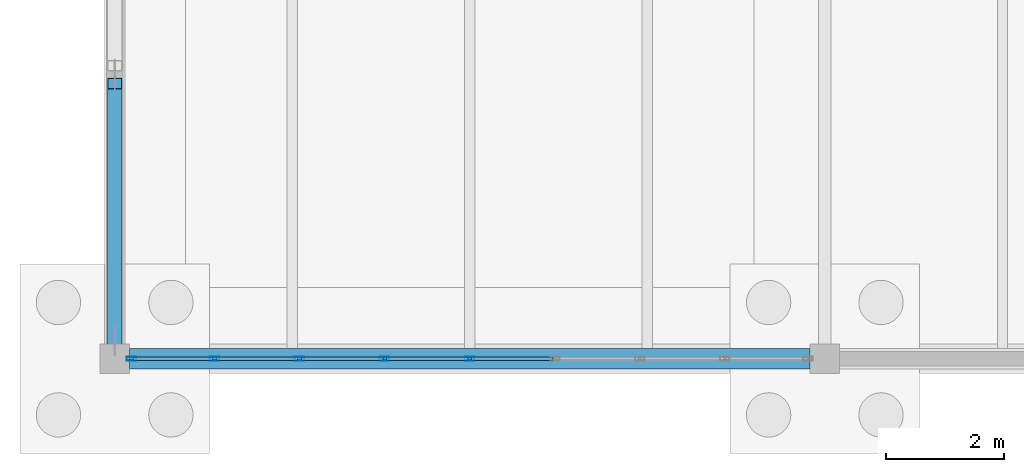
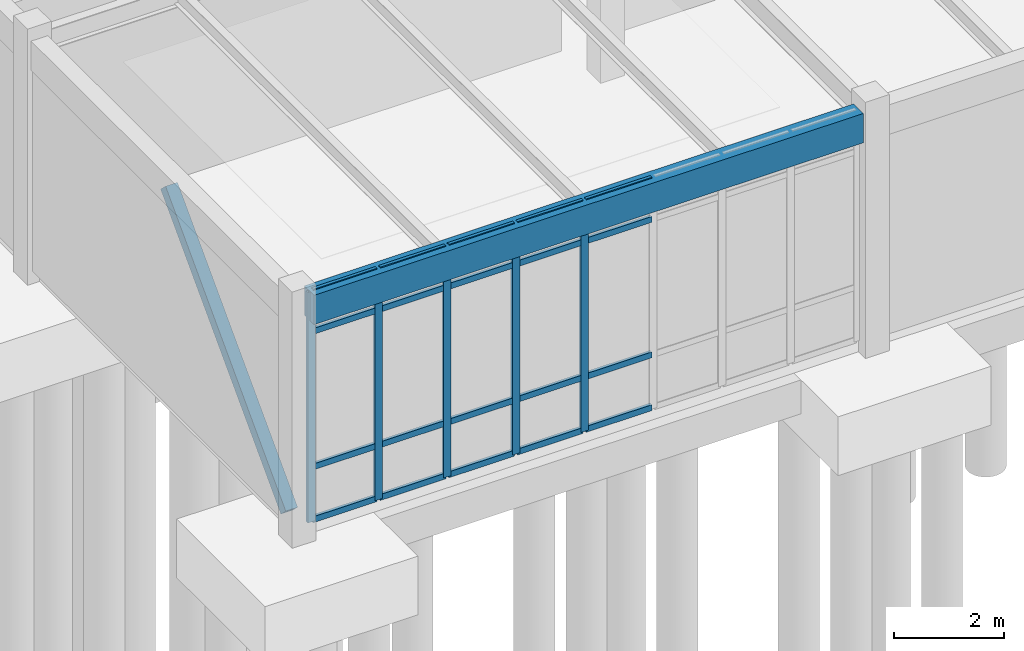
# One storey, part 20 of 188: 26 members, 1 beam, 1 element without a shape of its own.
"""IFC4 building model written with IfcOpenShell, lengths in metres."""

from ifc_helpers import new_model, si_unit, direction, frame, origin, origin_2d, place, context, subcontext, project, spatial, rectangle, hollow_rectangle, extrude, material, layer, layer_set, material_profile, profile_set, type_object, element, aggregate, save


model = new_model("IFC4")

# Units and contexts
model_context = context("Model", 3, precision=1e-05, world=origin(), true_north=direction((0.0, 1.0)))
body_context = subcontext(model_context, "Body", "Model", "MODEL_VIEW")
ifc_project = project(units=[si_unit("LENGTHUNIT", "METRE"), si_unit("AREAUNIT", "SQUARE_METRE"), si_unit("VOLUMEUNIT", "CUBIC_METRE"), si_unit("PLANEANGLEUNIT", "RADIAN"), si_unit("MASSUNIT", "GRAM", prefix="KILO")], contexts=[model_context])

# Site, building, storey
site_placement = place(None, origin())
site = spatial("IfcSite", under=ifc_project, at=site_placement, CompositionType="ELEMENT")
building_placement = place(site_placement, origin())
building = spatial("IfcBuilding", under=site, at=building_placement, Name="Pandanus Reach Market Hall", CompositionType="ELEMENT")
storey_placement = place(building_placement, origin())
storey = spatial("IfcBuildingStorey", under=building, at=storey_placement, Name="L00", CompositionType="ELEMENT", Elevation=0.0)

# Beam
ifc_material_1 = material(Name="Concrete N40 (40 MPa)", Category="concrete")
ifc_material_profile_1 = material_profile(ifc_material_1, rectangle(XDim=0.35009765625, YDim=0.64990234375, at=origin_2d()), Name="RC350x650", Category="LoadBearing")
ifc_profile_set_1 = profile_set([ifc_material_profile_1], Name="Concrete N40 (40 MPa)")
beam_type = type_object("IfcBeamType", Name="BM-RC350-E", PredefinedType="SPANDREL", material=ifc_profile_set_1)
beam_placement = place(storey_placement, frame((0.248046875, 0.0, 4.784912109375), z_axis=(1.0, 0.0, 0.0), x_axis=(0.0, 1.0, 0.0)))
element("IfcBeam", 1, at=beam_placement, inside=storey, type_object=beam_type, Name="Framing beam BM-RC350-E L00.921", PredefinedType="SPANDREL", context=body_context, shape_type="SweptSolid", body=[
    extrude(rectangle(XDim=0.35009765625, YDim=0.64990234375, at=origin_2d()), origin(), (0.0, 0.0, 1.0), 11.50390625),
])

# Member
ifc_material_2 = material(Name="Steel Grade 350 (350 MPa)", Category="steel")
ifc_material_profile_2 = material_profile(ifc_material_2, hollow_rectangle(XDim=0.25, YDim=0.25, WallThickness=0.010009765625, at=origin_2d()), Name="250x250x10.0SHS", Category="LoadBearing")
ifc_profile_set_2 = profile_set([ifc_material_profile_2], Name="Steel Grade 350 (350 MPa)")
member_type_1 = type_object("IfcMemberType", Name="BR-SHS250-E", PredefinedType="BRACE", material=ifc_profile_set_2)
member_1_placement = place(storey_placement, frame((0.0, 0.2900390625, 0.14990234375), z_axis=(0.0, 0.691855715665, 0.722035780762), x_axis=(-1.0, 0.0, 0.0)))
element("IfcMember", 2, at=member_1_placement, inside=storey, type_object=member_type_1, Name="Chevron brace BR-SHS250-E 9A", PredefinedType="BRACE", context=body_context, shape_type="SweptSolid", body=[
    extrude(hollow_rectangle(XDim=0.25, YDim=0.25, WallThickness=0.010009765625, at=origin_2d()), origin(), (0.0, 0.0, 1.0), 6.3017578125),
])

# Curtain wall, members
ifc_material_3 = material(Name="Bronze anodised aluminium and low-E glass", Category="aluminium")
ifc_layer = layer(ifc_material_3, 0.159912109375, Name="CW-09")
ifc_layer_set = layer_set([ifc_layer], Name="Bronze anodised aluminium and low-E glass")
curtain_wall_type = type_object("IfcCurtainWallType", Name="CW-09", PredefinedType="NOTDEFINED", material=ifc_layer_set)
curtain_wall_placement = place(storey_placement, origin())
curtain_wall = element("IfcCurtainWall", 3, at=curtain_wall_placement, inside=storey, type_object=curtain_wall_type, Name="Glazed curtain wall CW-09 CW-0047", PredefinedType="NOTDEFINED")
ifc_material_4 = material(Name="Bronze anodised aluminium", Category="aluminium")
ifc_material_profile_3 = material_profile(ifc_material_4, hollow_rectangle(XDim=0.06494140625, YDim=0.159912109375, WallThickness=0.00390625, at=origin_2d()), Name="ALU65x160", Category="LoadBearing")
ifc_profile_set_3 = profile_set([ifc_material_profile_3], Name="Bronze anodised aluminium")
member_type_2 = type_object("IfcMemberType", Name="CW-M1", PredefinedType="MULLION", material=ifc_profile_set_3)
member_2_placement = place(storey_placement, frame((0.282470703125, 0.0, 0.0), z_axis=(0.0, 0.0, 1.0), x_axis=(0.0, 1.0, 0.0)))
member_2 = element("IfcMember", 4, at=member_2_placement, type_object=member_type_2, Name="CW-09 mullion 1", PredefinedType="MULLION", context=body_context, shape_type="SweptSolid", body=[
    extrude(hollow_rectangle(XDim=0.06494140625, YDim=0.159912109375, WallThickness=0.00390625, at=origin_2d()), origin(), (0.0, 0.0, 1.0), 5.10009765625),
])
member_3_placement = place(storey_placement, frame((1.6875, 0.0, 0.0), z_axis=(0.0, 0.0, 1.0), x_axis=(0.0, 1.0, 0.0)))
member_3 = element("IfcMember", 5, at=member_3_placement, type_object=member_type_2, Name="CW-09 mullion 2", PredefinedType="MULLION", context=body_context, shape_type="SweptSolid", body=[
    extrude(hollow_rectangle(XDim=0.06494140625, YDim=0.159912109375, WallThickness=0.00390625, at=origin_2d()), origin(), (0.0, 0.0, 1.0), 5.10009765625),
])
member_4_placement = place(storey_placement, frame((3.125, 0.0, 0.0), z_axis=(0.0, 0.0, 1.0), x_axis=(0.0, 1.0, 0.0)))
member_4 = element("IfcMember", 6, at=member_4_placement, type_object=member_type_2, Name="CW-09 mullion 3", PredefinedType="MULLION", context=body_context, shape_type="SweptSolid", body=[
    extrude(hollow_rectangle(XDim=0.06494140625, YDim=0.159912109375, WallThickness=0.00390625, at=origin_2d()), origin(), (0.0, 0.0, 1.0), 5.10009765625),
])
member_5_placement = place(storey_placement, frame((4.5625, 0.0, 0.0), z_axis=(0.0, 0.0, 1.0), x_axis=(0.0, 1.0, 0.0)))
member_5 = element("IfcMember", 7, at=member_5_placement, type_object=member_type_2, Name="CW-09 mullion 4", PredefinedType="MULLION", context=body_context, shape_type="SweptSolid", body=[
    extrude(hollow_rectangle(XDim=0.06494140625, YDim=0.159912109375, WallThickness=0.00390625, at=origin_2d()), origin(), (0.0, 0.0, 1.0), 5.10009765625),
])
member_6_placement = place(storey_placement, frame((6.0, 0.0, 0.0), z_axis=(0.0, 0.0, 1.0), x_axis=(0.0, 1.0, 0.0)))
member_6 = element("IfcMember", 8, at=member_6_placement, type_object=member_type_2, Name="CW-09 mullion 5", PredefinedType="MULLION", context=body_context, shape_type="SweptSolid", body=[
    extrude(hollow_rectangle(XDim=0.06494140625, YDim=0.159912109375, WallThickness=0.00390625, at=origin_2d()), origin(), (0.0, 0.0, 1.0), 5.10009765625),
])
ifc_material_profile_4 = material_profile(ifc_material_4, hollow_rectangle(XDim=0.06494140625, YDim=0.1298828125, WallThickness=0.00390625, at=origin_2d()), Name="ALU65x130", Category="LoadBearing")
ifc_profile_set_4 = profile_set([ifc_material_profile_4], Name="Bronze anodised aluminium")
member_type_3 = type_object("IfcMemberType", Name="CW-T1", PredefinedType="USERDEFINED", material=ifc_profile_set_4)
member_7_placement = place(storey_placement, frame((0.31494140625, 0.0, 0.032470703125), z_axis=(1.0, 0.0, 0.0), x_axis=(0.0, 1.0, 0.0)))
member_7 = element("IfcMember", 9, at=member_7_placement, type_object=member_type_3, Name="CW-09 transom 1.1", ObjectType="TRANSOM", PredefinedType="USERDEFINED", context=body_context, shape_type="SweptSolid", body=[
    extrude(hollow_rectangle(XDim=0.06494140625, YDim=0.1298828125, WallThickness=0.00390625, at=origin_2d()), origin(), (0.0, 0.0, 1.0), 1.340087890625),
])
member_8_placement = place(storey_placement, frame((0.31494140625, 0.0, 1.199951171875), z_axis=(1.0, 0.0, 0.0), x_axis=(0.0, 1.0, 0.0)))
member_8 = element("IfcMember", 10, at=member_8_placement, type_object=member_type_3, Name="CW-09 transom 1.2", ObjectType="TRANSOM", PredefinedType="USERDEFINED", context=body_context, shape_type="SweptSolid", body=[
    extrude(hollow_rectangle(XDim=0.06494140625, YDim=0.1298828125, WallThickness=0.00390625, at=origin_2d()), origin(), (0.0, 0.0, 1.0), 1.340087890625),
])
member_9_placement = place(storey_placement, frame((0.31494140625, 0.0, 4.199951171875), z_axis=(1.0, 0.0, 0.0), x_axis=(0.0, 1.0, 0.0)))
member_9 = element("IfcMember", 11, at=member_9_placement, type_object=member_type_3, Name="CW-09 transom 1.3", ObjectType="TRANSOM", PredefinedType="USERDEFINED", context=body_context, shape_type="SweptSolid", body=[
    extrude(hollow_rectangle(XDim=0.06494140625, YDim=0.1298828125, WallThickness=0.00390625, at=origin_2d()), origin(), (0.0, 0.0, 1.0), 1.340087890625),
])
member_10_placement = place(storey_placement, frame((0.31494140625, 0.0, 5.0673828125), z_axis=(1.0, 0.0, 0.0), x_axis=(0.0, 1.0, 0.0)))
member_10 = element("IfcMember", 12, at=member_10_placement, type_object=member_type_3, Name="CW-09 transom 1.4", ObjectType="TRANSOM", PredefinedType="USERDEFINED", context=body_context, shape_type="SweptSolid", body=[
    extrude(hollow_rectangle(XDim=0.06494140625, YDim=0.1298828125, WallThickness=0.00390625, at=origin_2d()), origin(), (0.0, 0.0, 1.0), 1.340087890625),
])
member_11_placement = place(storey_placement, frame((1.719970703125, 0.0, 0.032470703125), z_axis=(1.0, 0.0, 0.0), x_axis=(0.0, 1.0, 0.0)))
member_11 = element("IfcMember", 13, at=member_11_placement, type_object=member_type_3, Name="CW-09 transom 2.1", ObjectType="TRANSOM", PredefinedType="USERDEFINED", context=body_context, shape_type="SweptSolid", body=[
    extrude(hollow_rectangle(XDim=0.06494140625, YDim=0.1298828125, WallThickness=0.00390625, at=origin_2d()), origin(), (0.0, 0.0, 1.0), 1.37255859375),
])
member_12_placement = place(storey_placement, frame((1.719970703125, 0.0, 1.199951171875), z_axis=(1.0, 0.0, 0.0), x_axis=(0.0, 1.0, 0.0)))
member_12 = element("IfcMember", 14, at=member_12_placement, type_object=member_type_3, Name="CW-09 transom 2.2", ObjectType="TRANSOM", PredefinedType="USERDEFINED", context=body_context, shape_type="SweptSolid", body=[
    extrude(hollow_rectangle(XDim=0.06494140625, YDim=0.1298828125, WallThickness=0.00390625, at=origin_2d()), origin(), (0.0, 0.0, 1.0), 1.37255859375),
])
member_13_placement = place(storey_placement, frame((1.719970703125, 0.0, 4.199951171875), z_axis=(1.0, 0.0, 0.0), x_axis=(0.0, 1.0, 0.0)))
member_13 = element("IfcMember", 15, at=member_13_placement, type_object=member_type_3, Name="CW-09 transom 2.3", ObjectType="TRANSOM", PredefinedType="USERDEFINED", context=body_context, shape_type="SweptSolid", body=[
    extrude(hollow_rectangle(XDim=0.06494140625, YDim=0.1298828125, WallThickness=0.00390625, at=origin_2d()), origin(), (0.0, 0.0, 1.0), 1.37255859375),
])
member_14_placement = place(storey_placement, frame((1.719970703125, 0.0, 5.0673828125), z_axis=(1.0, 0.0, 0.0), x_axis=(0.0, 1.0, 0.0)))
member_14 = element("IfcMember", 16, at=member_14_placement, type_object=member_type_3, Name="CW-09 transom 2.4", ObjectType="TRANSOM", PredefinedType="USERDEFINED", context=body_context, shape_type="SweptSolid", body=[
    extrude(hollow_rectangle(XDim=0.06494140625, YDim=0.1298828125, WallThickness=0.00390625, at=origin_2d()), origin(), (0.0, 0.0, 1.0), 1.37255859375),
])
member_15_placement = place(storey_placement, frame((3.157470703125, 0.0, 0.032470703125), z_axis=(1.0, 0.0, 0.0), x_axis=(0.0, 1.0, 0.0)))
member_15 = element("IfcMember", 17, at=member_15_placement, type_object=member_type_3, Name="CW-09 transom 3.1", ObjectType="TRANSOM", PredefinedType="USERDEFINED", context=body_context, shape_type="SweptSolid", body=[
    extrude(hollow_rectangle(XDim=0.06494140625, YDim=0.1298828125, WallThickness=0.00390625, at=origin_2d()), origin(), (0.0, 0.0, 1.0), 1.37255859375),
])
member_16_placement = place(storey_placement, frame((3.157470703125, 0.0, 1.199951171875), z_axis=(1.0, 0.0, 0.0), x_axis=(0.0, 1.0, 0.0)))
member_16 = element("IfcMember", 18, at=member_16_placement, type_object=member_type_3, Name="CW-09 transom 3.2", ObjectType="TRANSOM", PredefinedType="USERDEFINED", context=body_context, shape_type="SweptSolid", body=[
    extrude(hollow_rectangle(XDim=0.06494140625, YDim=0.1298828125, WallThickness=0.00390625, at=origin_2d()), origin(), (0.0, 0.0, 1.0), 1.37255859375),
])
member_17_placement = place(storey_placement, frame((3.157470703125, 0.0, 4.199951171875), z_axis=(1.0, 0.0, 0.0), x_axis=(0.0, 1.0, 0.0)))
member_17 = element("IfcMember", 19, at=member_17_placement, type_object=member_type_3, Name="CW-09 transom 3.3", ObjectType="TRANSOM", PredefinedType="USERDEFINED", context=body_context, shape_type="SweptSolid", body=[
    extrude(hollow_rectangle(XDim=0.06494140625, YDim=0.1298828125, WallThickness=0.00390625, at=origin_2d()), origin(), (0.0, 0.0, 1.0), 1.37255859375),
])
member_18_placement = place(storey_placement, frame((3.157470703125, 0.0, 5.0673828125), z_axis=(1.0, 0.0, 0.0), x_axis=(0.0, 1.0, 0.0)))
member_18 = element("IfcMember", 20, at=member_18_placement, type_object=member_type_3, Name="CW-09 transom 3.4", ObjectType="TRANSOM", PredefinedType="USERDEFINED", context=body_context, shape_type="SweptSolid", body=[
    extrude(hollow_rectangle(XDim=0.06494140625, YDim=0.1298828125, WallThickness=0.00390625, at=origin_2d()), origin(), (0.0, 0.0, 1.0), 1.37255859375),
])
member_19_placement = place(storey_placement, frame((4.594970703125, 0.0, 0.032470703125), z_axis=(1.0, 0.0, 0.0), x_axis=(0.0, 1.0, 0.0)))
member_19 = element("IfcMember", 21, at=member_19_placement, type_object=member_type_3, Name="CW-09 transom 4.1", ObjectType="TRANSOM", PredefinedType="USERDEFINED", context=body_context, shape_type="SweptSolid", body=[
    extrude(hollow_rectangle(XDim=0.06494140625, YDim=0.1298828125, WallThickness=0.00390625, at=origin_2d()), origin(), (0.0, 0.0, 1.0), 1.37255859375),
])
member_20_placement = place(storey_placement, frame((4.594970703125, 0.0, 1.199951171875), z_axis=(1.0, 0.0, 0.0), x_axis=(0.0, 1.0, 0.0)))
member_20 = element("IfcMember", 22, at=member_20_placement, type_object=member_type_3, Name="CW-09 transom 4.2", ObjectType="TRANSOM", PredefinedType="USERDEFINED", context=body_context, shape_type="SweptSolid", body=[
    extrude(hollow_rectangle(XDim=0.06494140625, YDim=0.1298828125, WallThickness=0.00390625, at=origin_2d()), origin(), (0.0, 0.0, 1.0), 1.37255859375),
])
member_21_placement = place(storey_placement, frame((4.594970703125, 0.0, 4.199951171875), z_axis=(1.0, 0.0, 0.0), x_axis=(0.0, 1.0, 0.0)))
member_21 = element("IfcMember", 23, at=member_21_placement, type_object=member_type_3, Name="CW-09 transom 4.3", ObjectType="TRANSOM", PredefinedType="USERDEFINED", context=body_context, shape_type="SweptSolid", body=[
    extrude(hollow_rectangle(XDim=0.06494140625, YDim=0.1298828125, WallThickness=0.00390625, at=origin_2d()), origin(), (0.0, 0.0, 1.0), 1.37255859375),
])
member_22_placement = place(storey_placement, frame((4.594970703125, 0.0, 5.0673828125), z_axis=(1.0, 0.0, 0.0), x_axis=(0.0, 1.0, 0.0)))
member_22 = element("IfcMember", 24, at=member_22_placement, type_object=member_type_3, Name="CW-09 transom 4.4", ObjectType="TRANSOM", PredefinedType="USERDEFINED", context=body_context, shape_type="SweptSolid", body=[
    extrude(hollow_rectangle(XDim=0.06494140625, YDim=0.1298828125, WallThickness=0.00390625, at=origin_2d()), origin(), (0.0, 0.0, 1.0), 1.37255859375),
])
member_23_placement = place(storey_placement, frame((6.032470703125, 0.0, 0.032470703125), z_axis=(1.0, 0.0, 0.0), x_axis=(0.0, 1.0, 0.0)))
member_23 = element("IfcMember", 25, at=member_23_placement, type_object=member_type_3, Name="CW-09 transom 5.1", ObjectType="TRANSOM", PredefinedType="USERDEFINED", context=body_context, shape_type="SweptSolid", body=[
    extrude(hollow_rectangle(XDim=0.06494140625, YDim=0.1298828125, WallThickness=0.00390625, at=origin_2d()), origin(), (0.0, 0.0, 1.0), 1.37255859375),
])
member_24_placement = place(storey_placement, frame((6.032470703125, 0.0, 1.199951171875), z_axis=(1.0, 0.0, 0.0), x_axis=(0.0, 1.0, 0.0)))
member_24 = element("IfcMember", 26, at=member_24_placement, type_object=member_type_3, Name="CW-09 transom 5.2", ObjectType="TRANSOM", PredefinedType="USERDEFINED", context=body_context, shape_type="SweptSolid", body=[
    extrude(hollow_rectangle(XDim=0.06494140625, YDim=0.1298828125, WallThickness=0.00390625, at=origin_2d()), origin(), (0.0, 0.0, 1.0), 1.37255859375),
])
member_25_placement = place(storey_placement, frame((6.032470703125, 0.0, 4.199951171875), z_axis=(1.0, 0.0, 0.0), x_axis=(0.0, 1.0, 0.0)))
member_25 = element("IfcMember", 27, at=member_25_placement, type_object=member_type_3, Name="CW-09 transom 5.3", ObjectType="TRANSOM", PredefinedType="USERDEFINED", context=body_context, shape_type="SweptSolid", body=[
    extrude(hollow_rectangle(XDim=0.06494140625, YDim=0.1298828125, WallThickness=0.00390625, at=origin_2d()), origin(), (0.0, 0.0, 1.0), 1.37255859375),
])
member_26_placement = place(storey_placement, frame((6.032470703125, 0.0, 5.0673828125), z_axis=(1.0, 0.0, 0.0), x_axis=(0.0, 1.0, 0.0)))
member_26 = element("IfcMember", 28, at=member_26_placement, type_object=member_type_3, Name="CW-09 transom 5.4", ObjectType="TRANSOM", PredefinedType="USERDEFINED", context=body_context, shape_type="SweptSolid", body=[
    extrude(hollow_rectangle(XDim=0.06494140625, YDim=0.1298828125, WallThickness=0.00390625, at=origin_2d()), origin(), (0.0, 0.0, 1.0), 1.37255859375),
])
aggregate(curtain_wall, [member_2, member_3, member_4, member_5, member_6, member_7, member_8, member_9, member_10, member_11, member_12, member_13, member_14, member_15, member_16, member_17, member_18, member_19, member_20, member_21, member_22, member_23, member_24, member_25, member_26])

save(model, "model.ifc")
